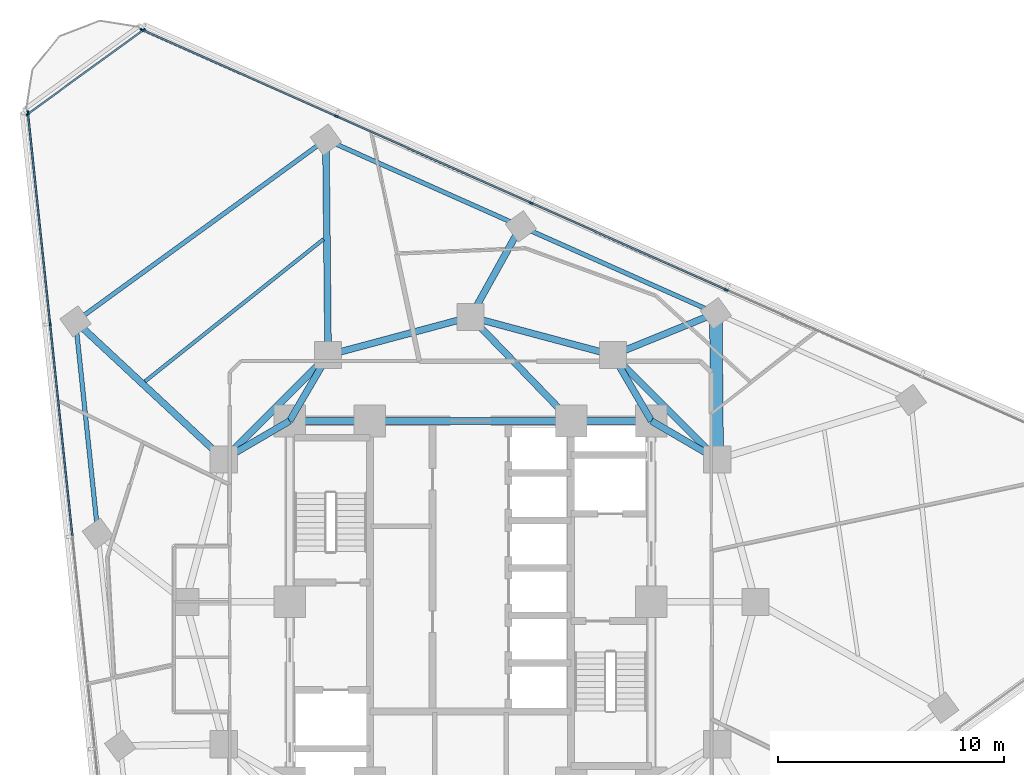
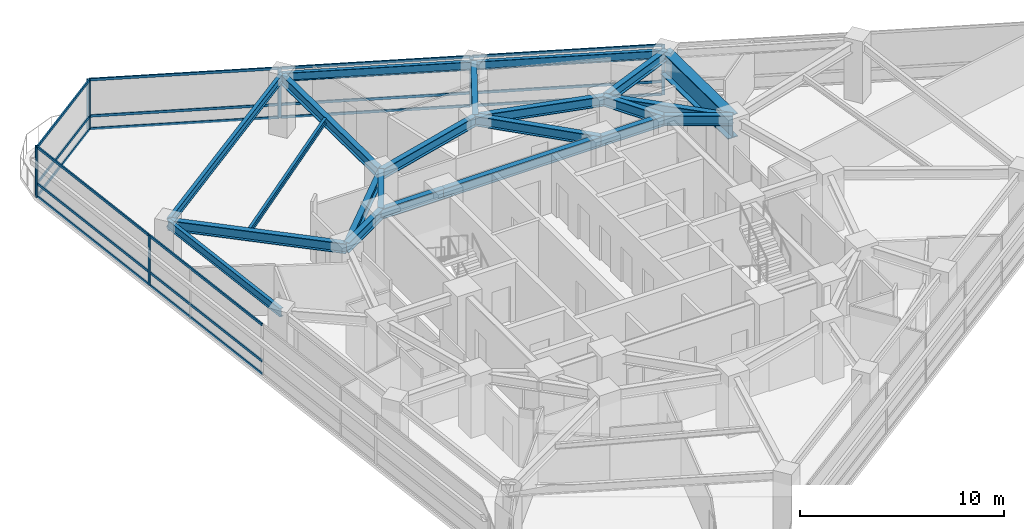
# One storey, part 5 of 14: 26 members, 22 beams, 3 elements without a shape of their own.
"""IFC4 building model written with IfcOpenShell, lengths in metres."""

from ifc_helpers import new_model, si_unit, direction, frame, origin, origin_2d, place, context, subcontext, project, spatial, rectangle, i_section, extrude, material, layer, layer_set, material_profile, profile_set, type_object, element, aggregate, save


model = new_model("IFC4")

# Units and contexts
model_context = context("Model", 3, precision=1e-05, world=origin(), true_north=direction((0.0, 1.0)))
body_context = subcontext(model_context, "Body", "Model", "MODEL_VIEW")
ifc_project = project(units=[si_unit("LENGTHUNIT", "METRE"), si_unit("AREAUNIT", "SQUARE_METRE"), si_unit("VOLUMEUNIT", "CUBIC_METRE"), si_unit("PLANEANGLEUNIT", "RADIAN"), si_unit("MASSUNIT", "GRAM", prefix="KILO")], contexts=[model_context])

# Site, building, storey
site_placement = place(None, origin())
site = spatial("IfcSite", under=ifc_project, at=site_placement, CompositionType="ELEMENT")
building_placement = place(site_placement, origin())
building = spatial("IfcBuilding", under=site, at=building_placement, Name="Terralouvre Media Tower", CompositionType="ELEMENT")
storey_placement = place(building_placement, frame((0.0, 0.0, 173.10009765625)))
storey = spatial("IfcBuildingStorey", under=building, at=storey_placement, Name="L44", CompositionType="ELEMENT", Elevation=173.10009765625)

# Beam
ifc_material_1 = material(Name="Structural steel S355J2", Category="steel")
ifc_material_profile_1 = material_profile(ifc_material_1, i_section(OverallWidth=0.159912109375, OverallDepth=0.330078125, WebThickness=0.007568359375, FlangeThickness=0.011474609375, at=origin_2d()), Name="IPE 330")
ifc_profile_set_1 = profile_set([ifc_material_profile_1], Name="Structural steel S355J2")
beam_type_1 = type_object("IfcBeamType", Name="Composite Floor Joist J-IPE330 (IPE 330)", PredefinedType="JOIST", material=ifc_profile_set_1)
beam_1_placement = place(storey_placement, frame((-6.500732421875, 16.037841796875, 3.3349609375), z_axis=(-0.782373963914, -0.622808943891, 0.0), x_axis=(0.622808943891, -0.782373963914, 0.0)))
element("IfcBeam", 1, at=beam_1_placement, inside=storey, type_object=beam_type_1, Name="L44 Framing Beam JT-L44-05", PredefinedType="JOIST", context=body_context, shape_type="SweptSolid", body=[
    extrude(i_section(OverallWidth=0.159912109375, OverallDepth=0.330078125, WebThickness=0.007568359375, FlangeThickness=0.011474609375, at=origin_2d()), origin(), (0.0, 0.0, 1.0), 10.0966796875),
])

# Curtain wall, members
ifc_material_2 = material(Name="Low-iron laminated double glazing with solar-control coating", Category="glass")
ifc_layer_1 = layer(ifc_material_2, 0.1650390625, Name="Production Studio Tower Curtain Wall CW-03")
ifc_layer_set_1 = layer_set([ifc_layer_1], Name="Low-iron laminated double glazing with solar-control coating")
curtain_wall_type_1 = type_object("IfcCurtainWallType", Name="Production Studio Tower Curtain Wall CW-03", PredefinedType="NOTDEFINED", material=ifc_layer_set_1)
curtain_wall_1_placement = place(storey_placement, origin())
curtain_wall_1 = element("IfcCurtainWall", 2, at=curtain_wall_1_placement, inside=storey, type_object=curtain_wall_type_1, Name="L44 Facade Curtain Wall F1", PredefinedType="NOTDEFINED")
ifc_material_3 = material(Name="Anodised extruded aluminium 6063-T6", Category="aluminium")
ifc_material_profile_2 = material_profile(ifc_material_3, rectangle(XDim=0.074951171875, YDim=0.14990234375, at=origin_2d()), Name="ALU 75x150")
ifc_profile_set_2 = profile_set([ifc_material_profile_2], Name="Anodised extruded aluminium 6063-T6")
member_type_1 = type_object("IfcMemberType", Name="Curtain-Wall Horizontal Transom TR-150", PredefinedType="USERDEFINED", material=ifc_profile_set_2)
member_1_placement = place(storey_placement, frame((11.27587890625, 13.8134765625, 0.037353515625), z_axis=(-0.913546899195, 0.40673340528, 0.0), x_axis=(-0.40673340528, -0.913546899195, 0.0)))
member_1 = element("IfcMember", 3, at=member_1_placement, type_object=member_type_1, Name="CW-03 transom 3.1", ObjectType="TRANSOM", PredefinedType="USERDEFINED", context=body_context, shape_type="SweptSolid", body=[
    extrude(rectangle(XDim=0.074951171875, YDim=0.14990234375, at=origin_2d()), origin(), (0.0, 0.0, 1.0), 9.364990234375),
])
member_2_placement = place(storey_placement, frame((11.27587890625, 13.8134765625, 0.7998046875), z_axis=(-0.913546899195, 0.40673340528, 0.0), x_axis=(-0.40673340528, -0.913546899195, 0.0)))
member_2 = element("IfcMember", 4, at=member_2_placement, type_object=member_type_1, Name="CW-03 transom 3.2", ObjectType="TRANSOM", PredefinedType="USERDEFINED", context=body_context, shape_type="SweptSolid", body=[
    extrude(rectangle(XDim=0.074951171875, YDim=0.14990234375, at=origin_2d()), origin(), (0.0, 0.0, 1.0), 9.364990234375),
])
member_3_placement = place(storey_placement, frame((11.27587890625, 13.8134765625, 2.96240234375), z_axis=(-0.913546899195, 0.40673340528, 0.0), x_axis=(-0.40673340528, -0.913546899195, 0.0)))
member_3 = element("IfcMember", 5, at=member_3_placement, type_object=member_type_1, Name="CW-03 transom 3.3", ObjectType="TRANSOM", PredefinedType="USERDEFINED", context=body_context, shape_type="SweptSolid", body=[
    extrude(rectangle(XDim=0.074951171875, YDim=0.14990234375, at=origin_2d()), origin(), (0.0, 0.0, 1.0), 9.364990234375),
])
member_4_placement = place(storey_placement, frame((2.65185546875, 17.653076171875, 0.037353515625), z_axis=(-0.913546899195, 0.40673340528, 0.0), x_axis=(-0.40673340528, -0.913546899195, 0.0)))
member_4 = element("IfcMember", 6, at=member_4_placement, type_object=member_type_1, Name="CW-03 transom 4.1", ObjectType="TRANSOM", PredefinedType="USERDEFINED", context=body_context, shape_type="SweptSolid", body=[
    extrude(rectangle(XDim=0.074951171875, YDim=0.14990234375, at=origin_2d()), origin(), (0.0, 0.0, 1.0), 9.364990234375),
])
member_5_placement = place(storey_placement, frame((2.65185546875, 17.653076171875, 0.7998046875), z_axis=(-0.913546899195, 0.40673340528, 0.0), x_axis=(-0.40673340528, -0.913546899195, 0.0)))
member_5 = element("IfcMember", 7, at=member_5_placement, type_object=member_type_1, Name="CW-03 transom 4.2", ObjectType="TRANSOM", PredefinedType="USERDEFINED", context=body_context, shape_type="SweptSolid", body=[
    extrude(rectangle(XDim=0.074951171875, YDim=0.14990234375, at=origin_2d()), origin(), (0.0, 0.0, 1.0), 9.364990234375),
])
member_6_placement = place(storey_placement, frame((2.65185546875, 17.653076171875, 2.96240234375), z_axis=(-0.913546899195, 0.40673340528, 0.0), x_axis=(-0.40673340528, -0.913546899195, 0.0)))
member_6 = element("IfcMember", 8, at=member_6_placement, type_object=member_type_1, Name="CW-03 transom 4.3", ObjectType="TRANSOM", PredefinedType="USERDEFINED", context=body_context, shape_type="SweptSolid", body=[
    extrude(rectangle(XDim=0.074951171875, YDim=0.14990234375, at=origin_2d()), origin(), (0.0, 0.0, 1.0), 9.364990234375),
])
member_7_placement = place(storey_placement, frame((-5.971923828125, 21.49267578125, 0.037353515625), z_axis=(-0.913553401339, 0.406718800774, 0.0), x_axis=(-0.406718800774, -0.913553401339, 0.0)))
member_7 = element("IfcMember", 9, at=member_7_placement, type_object=member_type_1, Name="CW-03 transom 5.1", ObjectType="TRANSOM", PredefinedType="USERDEFINED", context=body_context, shape_type="SweptSolid", body=[
    extrude(rectangle(XDim=0.074951171875, YDim=0.14990234375, at=origin_2d()), origin(), (0.0, 0.0, 1.0), 9.32763671875),
])
member_8_placement = place(storey_placement, frame((-5.971923828125, 21.49267578125, 0.7998046875), z_axis=(-0.913553401339, 0.406718800774, 0.0), x_axis=(-0.406718800774, -0.913553401339, 0.0)))
member_8 = element("IfcMember", 10, at=member_8_placement, type_object=member_type_1, Name="CW-03 transom 5.2", ObjectType="TRANSOM", PredefinedType="USERDEFINED", context=body_context, shape_type="SweptSolid", body=[
    extrude(rectangle(XDim=0.074951171875, YDim=0.14990234375, at=origin_2d()), origin(), (0.0, 0.0, 1.0), 9.32763671875),
])
member_9_placement = place(storey_placement, frame((-5.971923828125, 21.49267578125, 2.96240234375), z_axis=(-0.913553401339, 0.406718800774, 0.0), x_axis=(-0.406718800774, -0.913553401339, 0.0)))
member_9 = element("IfcMember", 11, at=member_9_placement, type_object=member_type_1, Name="CW-03 transom 5.3", ObjectType="TRANSOM", PredefinedType="USERDEFINED", context=body_context, shape_type="SweptSolid", body=[
    extrude(rectangle(XDim=0.074951171875, YDim=0.14990234375, at=origin_2d()), origin(), (0.0, 0.0, 1.0), 9.32763671875),
])

curtain_wall_2_placement = place(storey_placement, origin())
curtain_wall_2 = element("IfcCurtainWall", 12, at=curtain_wall_2_placement, inside=storey, type_object=curtain_wall_type_1, Name="L44 Facade Curtain Wall F2", PredefinedType="NOTDEFINED")
member_10_placement = place(storey_placement, frame((-19.5703125, 21.59765625, 0.037353515625), z_axis=(0.104540358364, -0.994520645071, 0.0), x_axis=(0.994520645071, 0.104540358364, 0.0)))
member_10 = element("IfcMember", 13, at=member_10_placement, type_object=member_type_1, Name="CW-03 transom 1.1", ObjectType="TRANSOM", PredefinedType="USERDEFINED", context=body_context, shape_type="SweptSolid", body=[
    extrude(rectangle(XDim=0.074951171875, YDim=0.14990234375, at=origin_2d()), origin(), (0.0, 0.0, 1.0), 9.327392578125),
])
member_11_placement = place(storey_placement, frame((-19.5703125, 21.59765625, 0.7998046875), z_axis=(0.104540358364, -0.994520645071, 0.0), x_axis=(0.994520645071, 0.104540358364, 0.0)))
member_11 = element("IfcMember", 14, at=member_11_placement, type_object=member_type_1, Name="CW-03 transom 1.2", ObjectType="TRANSOM", PredefinedType="USERDEFINED", context=body_context, shape_type="SweptSolid", body=[
    extrude(rectangle(XDim=0.074951171875, YDim=0.14990234375, at=origin_2d()), origin(), (0.0, 0.0, 1.0), 9.327392578125),
])
member_12_placement = place(storey_placement, frame((-19.5703125, 21.59765625, 2.96240234375), z_axis=(0.104540358364, -0.994520645071, 0.0), x_axis=(0.994520645071, 0.104540358364, 0.0)))
member_12 = element("IfcMember", 15, at=member_12_placement, type_object=member_type_1, Name="CW-03 transom 1.3", ObjectType="TRANSOM", PredefinedType="USERDEFINED", context=body_context, shape_type="SweptSolid", body=[
    extrude(rectangle(XDim=0.074951171875, YDim=0.14990234375, at=origin_2d()), origin(), (0.0, 0.0, 1.0), 9.327392578125),
])
member_13_placement = place(storey_placement, frame((-18.58740234375, 12.24658203125, 0.037353515625), z_axis=(0.104538223456, -0.994520869483, 0.0), x_axis=(0.994520869483, 0.104538223456, 0.0)))
member_13 = element("IfcMember", 16, at=member_13_placement, type_object=member_type_1, Name="CW-03 transom 2.1", ObjectType="TRANSOM", PredefinedType="USERDEFINED", context=body_context, shape_type="SweptSolid", body=[
    extrude(rectangle(XDim=0.074951171875, YDim=0.14990234375, at=origin_2d()), origin(), (0.0, 0.0, 1.0), 9.364990234375),
])
member_14_placement = place(storey_placement, frame((-18.58740234375, 12.24658203125, 0.7998046875), z_axis=(0.104538223456, -0.994520869483, 0.0), x_axis=(0.994520869483, 0.104538223456, 0.0)))
member_14 = element("IfcMember", 17, at=member_14_placement, type_object=member_type_1, Name="CW-03 transom 2.2", ObjectType="TRANSOM", PredefinedType="USERDEFINED", context=body_context, shape_type="SweptSolid", body=[
    extrude(rectangle(XDim=0.074951171875, YDim=0.14990234375, at=origin_2d()), origin(), (0.0, 0.0, 1.0), 9.364990234375),
])
member_15_placement = place(storey_placement, frame((-18.58740234375, 12.24658203125, 2.96240234375), z_axis=(0.104538223456, -0.994520869483, 0.0), x_axis=(0.994520869483, 0.104538223456, 0.0)))
member_15 = element("IfcMember", 18, at=member_15_placement, type_object=member_type_1, Name="CW-03 transom 2.3", ObjectType="TRANSOM", PredefinedType="USERDEFINED", context=body_context, shape_type="SweptSolid", body=[
    extrude(rectangle(XDim=0.074951171875, YDim=0.14990234375, at=origin_2d()), origin(), (0.0, 0.0, 1.0), 9.364990234375),
])

ifc_material_4 = material(Name="Low-iron laminated double glazing with solar-control coating", Category="glass")
ifc_layer_2 = layer(ifc_material_4, 0.1650390625, Name="Rounded Wind-Corner Curved Glazing CW-04")
ifc_layer_set_2 = layer_set([ifc_layer_2], Name="Low-iron laminated double glazing with solar-control coating")
curtain_wall_type_2 = type_object("IfcCurtainWallType", Name="Rounded Wind-Corner Curved Glazing CW-04", PredefinedType="NOTDEFINED", material=ifc_layer_set_2)
curtain_wall_3_placement = place(storey_placement, origin())
curtain_wall_3 = element("IfcCurtainWall", 19, at=curtain_wall_3_placement, inside=storey, type_object=curtain_wall_type_2, Name="L44 Rounded Wind-Corner Curtain Wall C2", PredefinedType="NOTDEFINED")
member_16_placement = place(storey_placement, frame((-14.4912109375, 25.269287109375, 0.037353515625), z_axis=(-0.809012644162, -0.587791239801, 0.0), x_axis=(0.587791239801, -0.809012644162, 0.0)))
member_16 = element("IfcMember", 20, at=member_16_placement, type_object=member_type_1, Name="CW-04 transom 1.1", ObjectType="TRANSOM", PredefinedType="USERDEFINED", context=body_context, shape_type="SweptSolid", body=[
    extrude(rectangle(XDim=0.074951171875, YDim=0.14990234375, at=origin_2d()), origin(), (0.0, 0.0, 1.0), 6.258544921875),
])
member_17_placement = place(storey_placement, frame((-14.4912109375, 25.269287109375, 0.7998046875), z_axis=(-0.809012644162, -0.587791239801, 0.0), x_axis=(0.587791239801, -0.809012644162, 0.0)))
member_17 = element("IfcMember", 21, at=member_17_placement, type_object=member_type_1, Name="CW-04 transom 1.2", ObjectType="TRANSOM", PredefinedType="USERDEFINED", context=body_context, shape_type="SweptSolid", body=[
    extrude(rectangle(XDim=0.074951171875, YDim=0.14990234375, at=origin_2d()), origin(), (0.0, 0.0, 1.0), 6.258544921875),
])
member_18_placement = place(storey_placement, frame((-14.4912109375, 25.269287109375, 2.96240234375), z_axis=(-0.809012644162, -0.587791239801, 0.0), x_axis=(0.587791239801, -0.809012644162, 0.0)))
member_18 = element("IfcMember", 22, at=member_18_placement, type_object=member_type_1, Name="CW-04 transom 1.3", ObjectType="TRANSOM", PredefinedType="USERDEFINED", context=body_context, shape_type="SweptSolid", body=[
    extrude(rectangle(XDim=0.074951171875, YDim=0.14990234375, at=origin_2d()), origin(), (0.0, 0.0, 1.0), 6.258544921875),
])

# Member
ifc_material_5 = material(Name="Anodised extruded aluminium 6063-T6", Category="aluminium")
ifc_material_profile_3 = material_profile(ifc_material_5, rectangle(XDim=0.074951171875, YDim=0.179931640625, at=origin_2d()), Name="ALU 75x180")
ifc_profile_set_3 = profile_set([ifc_material_profile_3], Name="Anodised extruded aluminium 6063-T6")
member_type_2 = type_object("IfcMemberType", Name="Curtain-Wall Vertical Mullion ML-180", PredefinedType="MULLION", material=ifc_profile_set_3)
member_19_placement = place(storey_placement, frame((11.31005859375, 13.798095703125, 0.0), z_axis=(0.0, 0.0, 1.0), x_axis=(-0.406736616337, -0.913545469547, 0.0)))
member_19 = element("IfcMember", 23, at=member_19_placement, type_object=member_type_2, Name="CW-03 mullion 3", PredefinedType="MULLION", context=body_context, shape_type="SweptSolid", body=[
    extrude(rectangle(XDim=0.074951171875, YDim=0.179931640625, at=origin_2d()), origin(), (0.0, 0.0, 1.0), 3.0),
])

member_20_placement = place(storey_placement, frame((2.686279296875, 17.6376953125, 0.0), z_axis=(0.0, 0.0, 1.0), x_axis=(-0.406736616337, -0.913545469547, 0.0)))
member_20 = element("IfcMember", 24, at=member_20_placement, type_object=member_type_2, Name="CW-03 mullion 4", PredefinedType="MULLION", context=body_context, shape_type="SweptSolid", body=[
    extrude(rectangle(XDim=0.074951171875, YDim=0.179931640625, at=origin_2d()), origin(), (0.0, 0.0, 1.0), 3.0),
])

member_21_placement = place(storey_placement, frame((-5.937744140625, 21.477294921875, 0.0), z_axis=(0.0, 0.0, 1.0), x_axis=(-0.406736616337, -0.913545469547, 0.0)))
member_21 = element("IfcMember", 25, at=member_21_placement, type_object=member_type_2, Name="CW-03 mullion 5", PredefinedType="MULLION", context=body_context, shape_type="SweptSolid", body=[
    extrude(rectangle(XDim=0.074951171875, YDim=0.179931640625, at=origin_2d()), origin(), (0.0, 0.0, 1.0), 3.0),
])

member_22_placement = place(storey_placement, frame((-14.52734375, 25.3017578125, 0.0), z_axis=(0.0, 0.0, 1.0), x_axis=(-0.406736616337, -0.913545469547, 0.0)))
member_22 = element("IfcMember", 26, at=member_22_placement, type_object=member_type_2, Name="CW-03 mullion 6", PredefinedType="MULLION", context=body_context, shape_type="SweptSolid", body=[
    extrude(rectangle(XDim=0.074951171875, YDim=0.179931640625, at=origin_2d()), origin(), (0.0, 0.0, 1.0), 3.0),
])

aggregate(curtain_wall_1, [member_19, member_20, member_21, member_22, member_1, member_2, member_3, member_4, member_5, member_6, member_7, member_8, member_9])

member_23_placement = place(storey_placement, frame((-19.57421875, 21.635009765625, 0.0), z_axis=(0.0, 0.0, 1.0), x_axis=(0.994521904516, 0.104528376236, 0.0)))
member_23 = element("IfcMember", 27, at=member_23_placement, type_object=member_type_2, Name="CW-03 mullion 1", PredefinedType="MULLION", context=body_context, shape_type="SweptSolid", body=[
    extrude(rectangle(XDim=0.074951171875, YDim=0.179931640625, at=origin_2d()), origin(), (0.0, 0.0, 1.0), 3.0),
])

member_24_placement = place(storey_placement, frame((-18.59130859375, 12.283935546875, 0.0), z_axis=(0.0, 0.0, 1.0), x_axis=(0.994521904516, 0.104528376236, 0.0)))
member_24 = element("IfcMember", 28, at=member_24_placement, type_object=member_type_2, Name="CW-03 mullion 2", PredefinedType="MULLION", context=body_context, shape_type="SweptSolid", body=[
    extrude(rectangle(XDim=0.074951171875, YDim=0.179931640625, at=origin_2d()), origin(), (0.0, 0.0, 1.0), 3.0),
])

aggregate(curtain_wall_2, [member_23, member_24, member_10, member_11, member_12, member_13, member_14, member_15])

member_25_placement = place(storey_placement, frame((-14.4609375, 25.291259765625, 0.0), z_axis=(0.0, 0.0, 1.0), x_axis=(0.587784641221, -0.809017438344, 0.0)))
member_25 = element("IfcMember", 29, at=member_25_placement, type_object=member_type_2, Name="CW-04 mullion 1", PredefinedType="MULLION", context=body_context, shape_type="SweptSolid", body=[
    extrude(rectangle(XDim=0.074951171875, YDim=0.179931640625, at=origin_2d()), origin(), (0.0, 0.0, 1.0), 3.0),
])

member_26_placement = place(storey_placement, frame((-19.584716796875, 21.568603515625, 0.0), z_axis=(0.0, 0.0, 1.0), x_axis=(0.587784641221, -0.809017438344, 0.0)))
member_26 = element("IfcMember", 30, at=member_26_placement, type_object=member_type_2, Name="CW-04 mullion 2", PredefinedType="MULLION", context=body_context, shape_type="SweptSolid", body=[
    extrude(rectangle(XDim=0.074951171875, YDim=0.179931640625, at=origin_2d()), origin(), (0.0, 0.0, 1.0), 3.0),
])

aggregate(curtain_wall_3, [member_25, member_26, member_16, member_17, member_18])

# Beams
ifc_material_6 = material(Name="Structural steel S355J2", Category="steel")
ifc_material_profile_4 = material_profile(ifc_material_6, i_section(OverallWidth=0.199951171875, OverallDepth=0.5, WebThickness=0.01025390625, FlangeThickness=0.01611328125, at=origin_2d()), Name="IPE 500")
ifc_profile_set_4 = profile_set([ifc_material_profile_4], Name="Structural steel S355J2")
beam_type_2 = type_object("IfcBeamType", Name="Perimeter Spandrel Beam SPB-500 (IPE 500)", PredefinedType="SPANDREL", material=ifc_profile_set_4)
for number, where, z_axis, x_axis, name in (
    (31, (10.850341796875, 12.765869140625, 3.239990234375), (-0.913543659167, 0.406740682494, 0.0), (-0.406740682494, -0.913543659167, 0.0), "L44 Framing Beam BM-L44-PR08"),
    (32, (2.2265625, 16.60546875, 3.25), (-0.913543659167, 0.406740682494, 0.0), (-0.406740682494, -0.913543659167, 0.0), "L44 Framing Beam BM-L44-PR09"),
):
    element("IfcBeam", number, at=place(storey_placement, frame(where, z_axis=z_axis, x_axis=x_axis)), inside=storey, type_object=beam_type_2, Name=name, PredefinedType="SPANDREL", context=body_context, shape_type="SweptSolid", body=[
        extrude(i_section(OverallWidth=0.199951171875, OverallDepth=0.5, WebThickness=0.01025390625, FlangeThickness=0.01611328125, at=origin_2d()), origin(), (0.0, 0.0, 1.0), 9.43994140625),
    ])
beam_2_placement = place(storey_placement, frame((-6.397216796875, 20.445068359375, 3.25), z_axis=(-0.80901991627, -0.587781230628, 0.0), x_axis=(0.587781230628, -0.80901991627, 0.0)))
element("IfcBeam", 33, at=beam_2_placement, inside=storey, type_object=beam_type_2, Name="L44 Framing Beam BM-L44-PR10", PredefinedType="SPANDREL", context=body_context, shape_type="SweptSolid", body=[
    extrude(i_section(OverallWidth=0.199951171875, OverallDepth=0.5, WebThickness=0.01025390625, FlangeThickness=0.01611328125, at=origin_2d()), origin(), (0.0, 0.0, 1.0), 13.68359375),
])
beam_3_placement = place(storey_placement, frame((-17.467529296875, 12.402099609375, 3.25), z_axis=(0.10453669331, -0.994521030321, 0.0), x_axis=(0.994521030321, 0.10453669331, 0.0)))
element("IfcBeam", 34, at=beam_3_placement, inside=storey, type_object=beam_type_2, Name="L44 Framing Beam BM-L44-PR11", PredefinedType="SPANDREL", context=body_context, shape_type="SweptSolid", body=[
    extrude(i_section(OverallWidth=0.199951171875, OverallDepth=0.5, WebThickness=0.01025390625, FlangeThickness=0.01611328125, at=origin_2d()), origin(), (0.0, 0.0, 1.0), 9.43994140625),
])
ifc_material_7 = material(Name="Structural steel S460M", Category="steel")
ifc_material_profile_5 = material_profile(ifc_material_7, i_section(OverallWidth=0.300048828125, OverallDepth=0.60009765625, WebThickness=0.015380859375, FlangeThickness=0.030029296875, at=origin_2d()), Name="HEB 600")
ifc_profile_set_5 = profile_set([ifc_material_profile_5], Name="Structural steel S460M")
beam_type_3 = type_object("IfcBeamType", Name="Primary Floor Girder B-HEB600 (HEB 600)", PredefinedType="BEAM", material=ifc_profile_set_5)
beam_4_placement = place(storey_placement, frame((8.0, 8.0, 3.199951171875), z_axis=(-1.0, 0.0, 0.0), x_axis=(0.0, -1.0, 0.0)))
element("IfcBeam", 35, at=beam_4_placement, inside=storey, type_object=beam_type_3, Name="L44 Framing Beam BM-L44-CPR06", PredefinedType="BEAM", context=body_context, shape_type="SweptSolid", body=[
    extrude(i_section(OverallWidth=0.300048828125, OverallDepth=0.60009765625, WebThickness=0.015380859375, FlangeThickness=0.030029296875, at=origin_2d()), origin(), (0.0, 0.0, 1.0), 3.550048828125),
])
beam_5_placement = place(storey_placement, frame((4.449951171875, 8.0, 3.199951171875), z_axis=(-1.0, 0.0, 0.0), x_axis=(0.0, -1.0, 0.0)))
element("IfcBeam", 36, at=beam_5_placement, inside=storey, type_object=beam_type_3, Name="L44 Framing Beam BM-L44-CPR07", PredefinedType="BEAM", context=body_context, shape_type="SweptSolid", body=[
    extrude(i_section(OverallWidth=0.300048828125, OverallDepth=0.60009765625, WebThickness=0.015380859375, FlangeThickness=0.030029296875, at=origin_2d()), origin(), (0.0, 0.0, 1.0), 8.89990234375),
])
beam_6_placement = place(storey_placement, frame((-4.449951171875, 8.0, 3.199951171875), z_axis=(-1.0, 0.0, 0.0), x_axis=(0.0, -1.0, 0.0)))
element("IfcBeam", 37, at=beam_6_placement, inside=storey, type_object=beam_type_3, Name="L44 Framing Beam BM-L44-CPR08", PredefinedType="BEAM", context=body_context, shape_type="SweptSolid", body=[
    extrude(i_section(OverallWidth=0.300048828125, OverallDepth=0.60009765625, WebThickness=0.015380859375, FlangeThickness=0.030029296875, at=origin_2d()), origin(), (0.0, 0.0, 1.0), 3.550048828125),
])
beam_7_placement = place(storey_placement, frame((10.911865234375, 6.300048828125, 3.199951171875), z_axis=(-0.707106781187, 0.707106781187, 0.0), x_axis=(-0.707106781187, -0.707106781187, 0.0)))
element("IfcBeam", 38, at=beam_7_placement, inside=storey, type_object=beam_type_3, Name="L44 Framing Beam BM-L44-MR07", PredefinedType="BEAM", context=body_context, shape_type="SweptSolid", body=[
    extrude(i_section(OverallWidth=0.300048828125, OverallDepth=0.60009765625, WebThickness=0.015380859375, FlangeThickness=0.030029296875, at=origin_2d()), origin(), (0.0, 0.0, 1.0), 6.52197265625),
])
for number, where, z_axis, x_axis, name in (
    (39, (6.300048828125, 10.911865234375, 3.199951171875), (-0.965920481897, 0.258838989821, 0.0), (-0.258838989821, -0.965920481897, 0.0), "L44 Framing Beam BM-L44-MR08"),
    (40, (0.0, 12.60009765625, 3.199951171875), (-0.965920481897, -0.258838989821, 0.0), (0.258838989821, -0.965920481897, 0.0), "L44 Framing Beam BM-L44-MR09"),
):
    element("IfcBeam", number, at=place(storey_placement, frame(where, z_axis=z_axis, x_axis=x_axis)), inside=storey, type_object=beam_type_3, Name=name, PredefinedType="BEAM", context=body_context, shape_type="SweptSolid", body=[
        extrude(i_section(OverallWidth=0.300048828125, OverallDepth=0.60009765625, WebThickness=0.015380859375, FlangeThickness=0.030029296875, at=origin_2d()), origin(), (0.0, 0.0, 1.0), 6.522216796875),
    ])
beam_8_placement = place(storey_placement, frame((-6.300048828125, 10.911865234375, 3.199951171875), z_axis=(-0.707106781187, -0.707106781187, 0.0), x_axis=(0.707106781187, -0.707106781187, 0.0)))
element("IfcBeam", 41, at=beam_8_placement, inside=storey, type_object=beam_type_3, Name="L44 Framing Beam BM-L44-MR10", PredefinedType="BEAM", context=body_context, shape_type="SweptSolid", body=[
    extrude(i_section(OverallWidth=0.300048828125, OverallDepth=0.60009765625, WebThickness=0.015380859375, FlangeThickness=0.030029296875, at=origin_2d()), origin(), (0.0, 0.0, 1.0), 6.52197265625),
])
for number, where, z_axis, x_axis, name in (
    (42, (8.0, 8.0, 3.199951171875), (0.863602894532, -0.504172629717, 0.0), (0.504172629717, 0.863602894532, 0.0), "L44 Framing Beam BM-L44-CM07"),
    (43, (8.0, 8.0, 3.199951171875), (-0.504172629717, 0.863602894532, 0.0), (-0.863602894532, -0.504172629717, 0.0), "L44 Framing Beam BM-L44-CM08"),
):
    element("IfcBeam", number, at=place(storey_placement, frame(where, z_axis=z_axis, x_axis=x_axis)), inside=storey, type_object=beam_type_3, Name=name, PredefinedType="BEAM", context=body_context, shape_type="SweptSolid", body=[
        extrude(i_section(OverallWidth=0.300048828125, OverallDepth=0.60009765625, WebThickness=0.015380859375, FlangeThickness=0.030029296875, at=origin_2d()), origin(), (0.0, 0.0, 1.0), 3.371826171875),
    ])
beam_9_placement = place(storey_placement, frame((4.449951171875, 8.0, 3.199951171875), z_axis=(-0.695279715726, 0.718739255155, 0.0), x_axis=(-0.718739255155, -0.695279715726, 0.0)))
element("IfcBeam", 44, at=beam_9_placement, inside=storey, type_object=beam_type_3, Name="L44 Framing Beam BM-L44-CM09", PredefinedType="BEAM", context=body_context, shape_type="SweptSolid", body=[
    extrude(i_section(OverallWidth=0.300048828125, OverallDepth=0.60009765625, WebThickness=0.015380859375, FlangeThickness=0.030029296875, at=origin_2d()), origin(), (0.0, 0.0, 1.0), 6.400146484375),
])
for number, where, z_axis, x_axis, name in (
    (45, (-8.0, 8.0, 3.199951171875), (0.504172629717, 0.863602894532, 0.0), (-0.863602894532, 0.504172629717, 0.0), "L44 Framing Beam BM-L44-CM10"),
    (46, (-8.0, 8.0, 3.199951171875), (-0.863602894532, -0.504172629717, 0.0), (0.504172629717, -0.863602894532, 0.0), "L44 Framing Beam BM-L44-CM11"),
):
    element("IfcBeam", number, at=place(storey_placement, frame(where, z_axis=z_axis, x_axis=x_axis)), inside=storey, type_object=beam_type_3, Name=name, PredefinedType="BEAM", context=body_context, shape_type="SweptSolid", body=[
        extrude(i_section(OverallWidth=0.300048828125, OverallDepth=0.60009765625, WebThickness=0.015380859375, FlangeThickness=0.030029296875, at=origin_2d()), origin(), (0.0, 0.0, 1.0), 3.371826171875),
    ])
beam_10_placement = place(storey_placement, frame((6.300048828125, 10.911865234375, 3.18994140625), z_axis=(0.926079498884, 0.377328453403, 0.0), x_axis=(-0.377328453403, 0.926079498884, 0.0)))
element("IfcBeam", 47, at=beam_10_placement, inside=storey, type_object=beam_type_3, Name="L44 Framing Beam BM-L44-RD08", PredefinedType="BEAM", context=body_context, shape_type="SweptSolid", body=[
    extrude(i_section(OverallWidth=0.300048828125, OverallDepth=0.60009765625, WebThickness=0.015380859375, FlangeThickness=0.030029296875, at=origin_2d()), origin(), (0.0, 0.0, 1.0), 4.91357421875),
])
beam_11_placement = place(storey_placement, frame((0.0, 12.60009765625, 3.199951171875), z_axis=(0.485869082881, 0.874031597999, 0.0), x_axis=(-0.874031597999, 0.485869082881, 0.0)))
element("IfcBeam", 48, at=beam_11_placement, inside=storey, type_object=beam_type_3, Name="L44 Framing Beam BM-L44-RD09", PredefinedType="BEAM", context=body_context, shape_type="SweptSolid", body=[
    extrude(i_section(OverallWidth=0.300048828125, OverallDepth=0.60009765625, WebThickness=0.015380859375, FlangeThickness=0.030029296875, at=origin_2d()), origin(), (0.0, 0.0, 1.0), 4.58251953125),
])
beam_12_placement = place(storey_placement, frame((-6.300048828125, 10.911865234375, 3.199951171875), z_axis=(-0.010192054081, 0.999948059668, 0.0), x_axis=(-0.999948059668, -0.010192054081, 0.0)))
element("IfcBeam", 49, at=beam_12_placement, inside=storey, type_object=beam_type_3, Name="L44 Framing Beam BM-L44-RD10", PredefinedType="BEAM", context=body_context, shape_type="SweptSolid", body=[
    extrude(i_section(OverallWidth=0.300048828125, OverallDepth=0.60009765625, WebThickness=0.015380859375, FlangeThickness=0.030029296875, at=origin_2d()), origin(), (0.0, 0.0, 1.0), 9.53369140625),
])
beam_13_placement = place(storey_placement, frame((-10.911865234375, 6.300048828125, 3.199951171875), z_axis=(-0.731977414873, 0.6813288957, 0.0), x_axis=(-0.6813288957, -0.731977414873, 0.0)))
element("IfcBeam", 50, at=beam_13_placement, inside=storey, type_object=beam_type_3, Name="L44 Framing Beam BM-L44-RD11", PredefinedType="BEAM", context=body_context, shape_type="SweptSolid", body=[
    extrude(i_section(OverallWidth=0.300048828125, OverallDepth=0.60009765625, WebThickness=0.015380859375, FlangeThickness=0.030029296875, at=origin_2d()), origin(), (0.0, 0.0, 1.0), 8.9560546875),
])
ifc_material_8 = material(Name="Structural steel S460M", Category="steel")
ifc_material_profile_6 = material_profile(ifc_material_8, i_section(OverallWidth=0.56005859375, OverallDepth=1.39990234375, WebThickness=0.031982421875, FlangeThickness=0.050048828125, at=origin_2d()), Name="TG 1400x560")
ifc_profile_set_6 = profile_set([ifc_material_profile_6], Name="Structural steel S460M")
beam_type_4 = type_object("IfcBeamType", Name="Welded Transfer Girder TG-1400 (TG 1400x560)", PredefinedType="USERDEFINED", material=ifc_profile_set_6)
beam_14_placement = place(storey_placement, frame((10.911865234375, 6.300048828125, 2.789794921875), z_axis=(-0.00951474826, 0.999954733758, 0.0), x_axis=(-0.999954733758, -0.00951474826, 0.0)))
element("IfcBeam", 51, at=beam_14_placement, inside=storey, type_object=beam_type_4, Name="L44 Framing Beam BM-L44-SG02", ObjectType="TRANSFER GIRDER", PredefinedType="USERDEFINED", context=body_context, shape_type="SweptSolid", body=[
    extrude(i_section(OverallWidth=0.56005859375, OverallDepth=1.39990234375, WebThickness=0.031982421875, FlangeThickness=0.050048828125, at=origin_2d()), origin(), (0.0, 0.0, 1.0), 6.466064453125),
])

save(model, "model.ifc")
